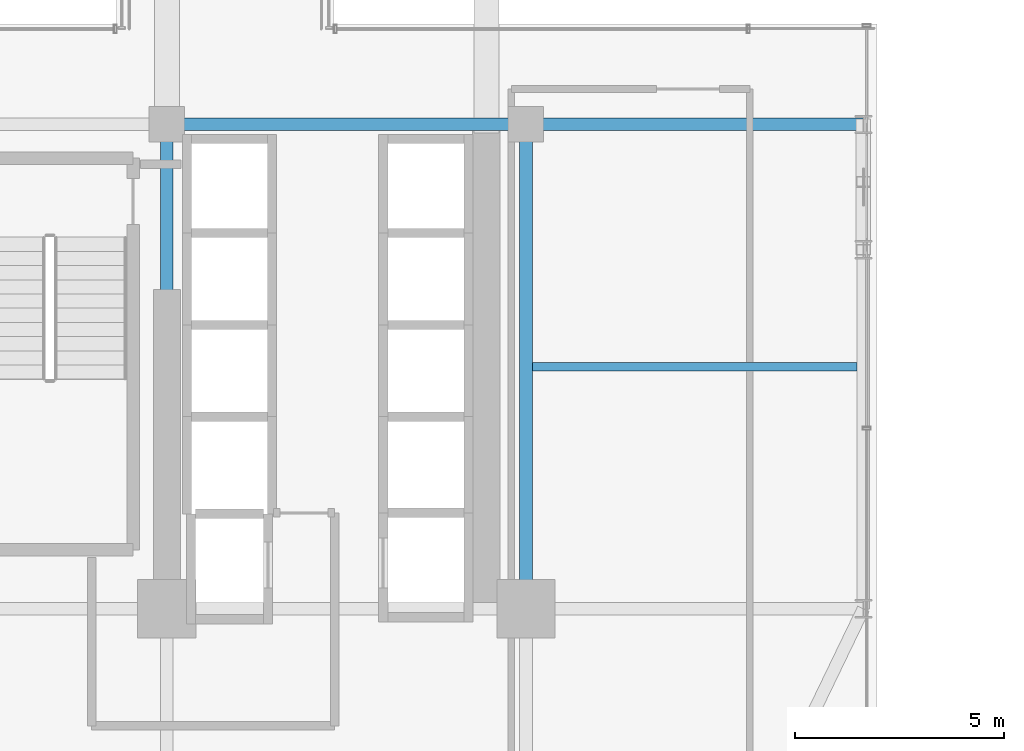
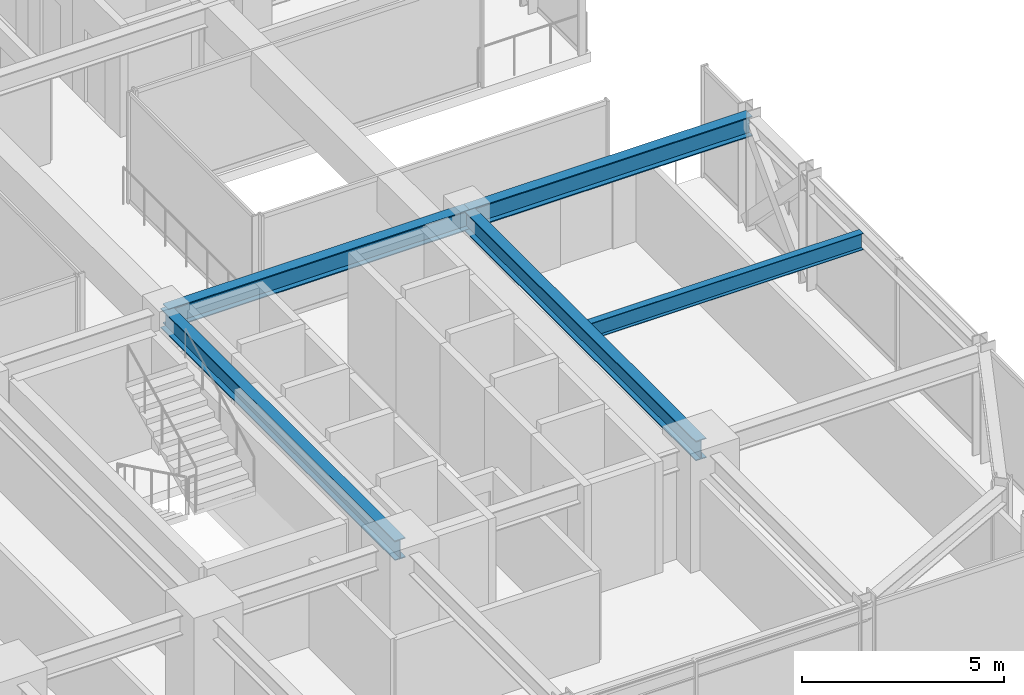
# One storey, part 14 of 35: 5 beams.
"""IFC4 building model written with IfcOpenShell, lengths in metres."""

from ifc_helpers import new_model, si_unit, direction, frame, origin, origin_2d, place, context, subcontext, project, spatial, i_section, extrude, source, transform, mapped, material, material_profile, profile_set, type_object, element, save


model = new_model("IFC4")

# Units and contexts
model_context = context("Model", 3, precision=1e-05, world=origin(), true_north=direction((0.0, 1.0)))
body_context = subcontext(model_context, "Body", "Model", "MODEL_VIEW")
ifc_project = project(units=[si_unit("LENGTHUNIT", "METRE"), si_unit("AREAUNIT", "SQUARE_METRE"), si_unit("VOLUMEUNIT", "CUBIC_METRE"), si_unit("PLANEANGLEUNIT", "RADIAN"), si_unit("MASSUNIT", "GRAM", prefix="KILO")], contexts=[model_context])

# Site, building, storey
site_placement = place(None, origin())
site = spatial("IfcSite", under=ifc_project, at=site_placement, CompositionType="ELEMENT")
building_placement = place(site_placement, origin())
building = spatial("IfcBuilding", under=site, at=building_placement, Name="Nahalor Promenade Grand Hotel", CompositionType="ELEMENT")
storey_placement = place(building_placement, frame((0.0, 0.0, 43.35009765625)))
storey = spatial("IfcBuildingStorey", under=building, at=storey_placement, Name="L09", CompositionType="ELEMENT", Elevation=43.35009765625)

# Beams
ifc_material = material(Name="Steel S355JR", Category="steel")
ifc_material_profile_1 = material_profile(ifc_material, i_section(OverallWidth=0.3, OverallDepth=0.6, WebThickness=0.0155, FlangeThickness=0.03, at=origin_2d()), Name="HEB 600")
ifc_profile_set_1 = profile_set([ifc_material_profile_1], Name="Steel S355JR")
beam_type_1 = type_object("IfcBeamType", Name="Beam-Girder-HEB600", PredefinedType="BEAM", material=ifc_profile_set_1)
shared_shape_1 = source(origin(), body_context, "Body", "SweptSolid", [
    extrude(i_section(OverallWidth=0.3, OverallDepth=0.6, WebThickness=0.0155, FlangeThickness=0.03, at=origin_2d()), origin(), (0.0, 0.0, 1.0), 8.60009765625),
])
beam_1_placement = place(storey_placement, frame((8.39990234375, -5.39990234375, 3.06982421875), z_axis=(1.0, 0.0, 0.0), x_axis=(0.0, 1.0, 0.0)))
element("IfcBeam", 1, at=beam_1_placement, inside=storey, type_object=beam_type_1, Name="BM-L09-GX-1-5", PredefinedType="BEAM", context=body_context, shape_type="MappedRepresentation", body=[
    mapped(shared_shape_1, transform((0.0, 0.0, 0.0), scale=1.0)),
])
shared_shape_2 = source(origin(), body_context, "Body", "SweptSolid", [
    extrude(i_section(OverallWidth=0.3, OverallDepth=0.6, WebThickness=0.0155, FlangeThickness=0.03, at=origin_2d()), origin(), (0.0, 0.0, 1.0), 11.60009765625),
])
for number, where, z_axis, x_axis, name in (
    (2, (8.39990234375, -17.0, 3.06982421875), (0.0, 1.0, 0.0), (-1.0, 0.0, 0.0), "BM-L09-GY-4-1"),
    (3, (17.0, -17.0, 3.06982421875), (0.0, 1.0, 0.0), (-1.0, 0.0, 0.0), "BM-L09-GY-5-1"),
):
    element("IfcBeam", number, at=place(storey_placement, frame(where, z_axis=z_axis, x_axis=x_axis)), inside=storey, type_object=beam_type_1, Name=name, PredefinedType="BEAM", context=body_context, shape_type="MappedRepresentation", body=[
        mapped(shared_shape_2, transform((0.0, 0.0, 0.0), scale=1.0)),
    ])
shared_shape_3 = source(origin(), body_context, "Body", "SweptSolid", [
    extrude(i_section(OverallWidth=0.3, OverallDepth=0.6, WebThickness=0.0155, FlangeThickness=0.03, at=origin_2d()), origin(), (0.0, 0.0, 1.0), 8.080078125),
])
beam_2_placement = place(storey_placement, frame((17.0, -5.39990234375, 3.06982421875), z_axis=(1.0, 0.0, 0.0), x_axis=(0.0, 1.0, 0.0)))
element("IfcBeam", 4, at=beam_2_placement, inside=storey, type_object=beam_type_1, Name="BM-L09-GX-1-6", PredefinedType="BEAM", context=body_context, shape_type="MappedRepresentation", body=[
    mapped(shared_shape_3, transform((0.0, 0.0, 0.0), scale=1.0)),
])
ifc_material_profile_2 = material_profile(ifc_material, i_section(OverallWidth=0.2, OverallDepth=0.5, WebThickness=0.0102, FlangeThickness=0.016, at=origin_2d()), Name="IPE 500")
ifc_profile_set_2 = profile_set([ifc_material_profile_2], Name="Steel S355JR")
beam_type_2 = type_object("IfcBeamType", Name="Beam-Joist-IPE500", PredefinedType="JOIST", material=ifc_profile_set_2)
shared_shape_4 = source(origin(), body_context, "Body", "SweptSolid", [
    extrude(i_section(OverallWidth=0.2, OverallDepth=0.5, WebThickness=0.0102, FlangeThickness=0.016, at=origin_2d()), origin(), (0.0, 0.0, 1.0), 7.780029296875),
])
beam_3_placement = place(storey_placement, frame((17.14990234375, -11.199951171875, 3.119873046875), z_axis=(1.0, 0.0, 0.0), x_axis=(0.0, 1.0, 0.0)))
element("IfcBeam", 5, at=beam_3_placement, inside=storey, type_object=beam_type_2, Name="BM-L09-JSE-0-2", PredefinedType="JOIST", context=body_context, shape_type="MappedRepresentation", body=[
    mapped(shared_shape_4, transform((0.0, 0.0, 0.0), scale=1.0)),
])

save(model, "model.ifc")
